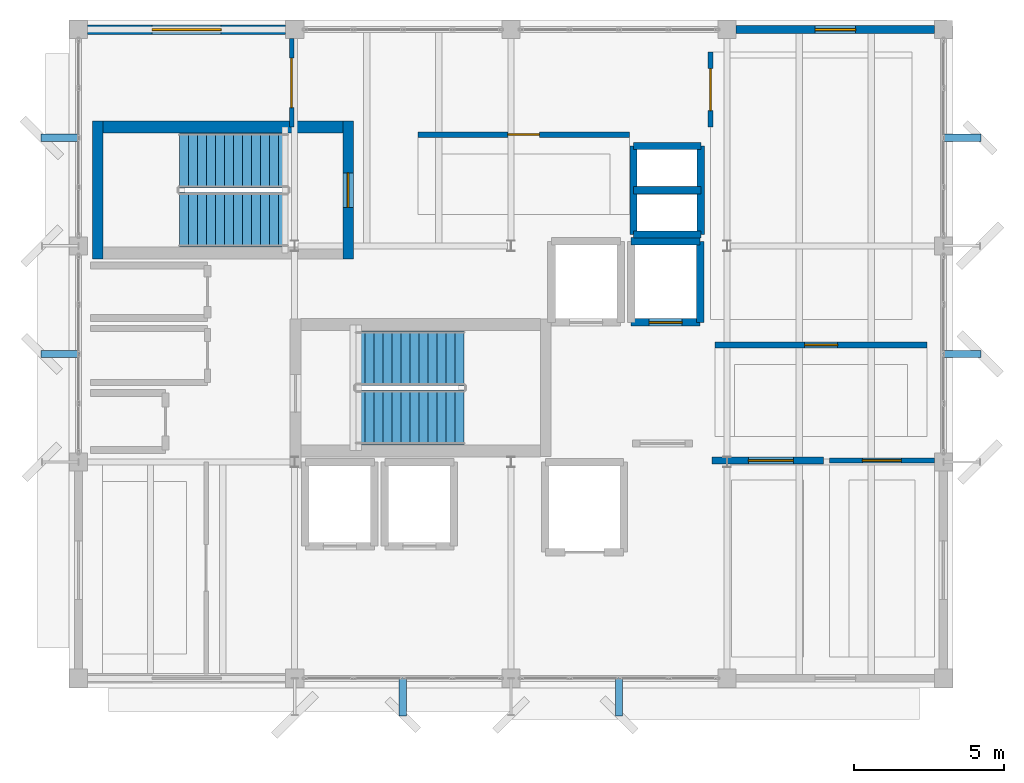
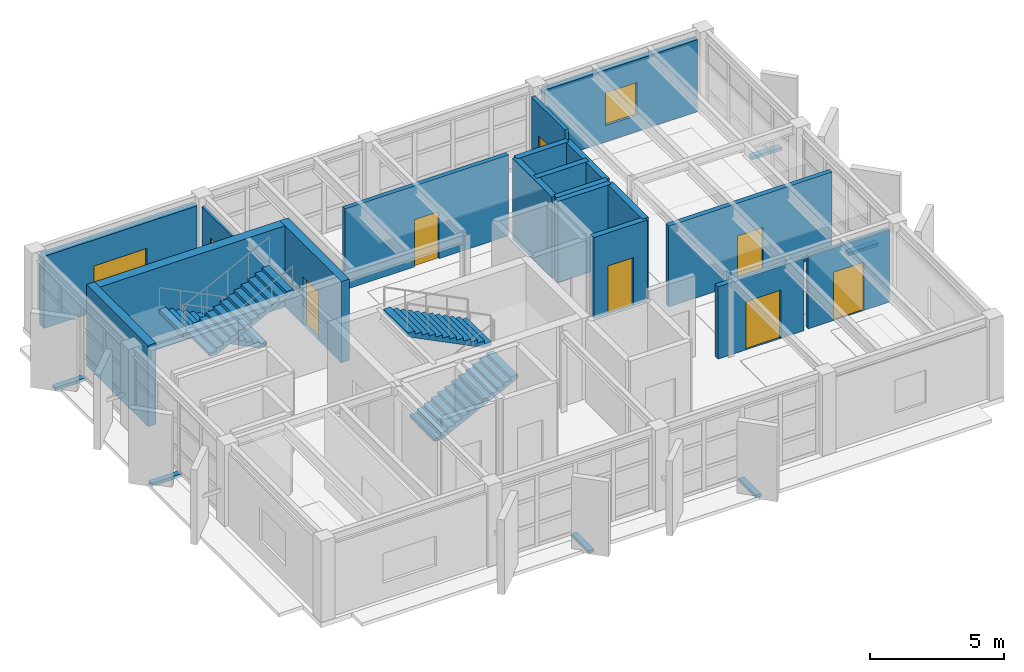
# One storey, part 12 of 15: 19 walls, 8 doors, 6 discrete accessories, 4 stair flights, 2 windows, 10 openings, 2 elements without a shape of their own.
"""IFC4 building model written with IfcOpenShell, lengths in metres."""

from ifc_helpers import new_model, si_unit, direction, frame, frame_2d, origin, origin_2d, place, context, subcontext, project, spatial, polyline, rectangle, outline, extrude, material, layer, layer_set, type_object, element, fill, aggregate, save


model = new_model("IFC4")

# Units and contexts
model_context = context("Model", 3, precision=1e-05, world=origin(), true_north=direction((0.0, 1.0)))
body_context = subcontext(model_context, "Body", "Model", "MODEL_VIEW")
ifc_project = project(units=[si_unit("LENGTHUNIT", "METRE"), si_unit("AREAUNIT", "SQUARE_METRE"), si_unit("VOLUMEUNIT", "CUBIC_METRE"), si_unit("PLANEANGLEUNIT", "RADIAN"), si_unit("MASSUNIT", "GRAM", prefix="KILO")], contexts=[model_context])

# Site, building, storey
site_placement = place(None, origin())
site = spatial("IfcSite", under=ifc_project, at=site_placement, CompositionType="ELEMENT")
building_placement = place(site_placement, origin())
building = spatial("IfcBuilding", under=site, at=building_placement, Name="Kandorven Conservatory and Botanical Research Centre", CompositionType="ELEMENT")
storey_placement = place(building_placement, frame((0.0, 0.0, 52.199951171875)))
storey = spatial("IfcBuildingStorey", under=building, at=storey_placement, Name="L13", CompositionType="ELEMENT", Elevation=52.199951171875)

# Wall
ifc_material_1 = material(Name="Concrete C40/50 (M50)", Category="concrete")
ifc_layer_1 = layer(ifc_material_1, 0.39990234375)
ifc_layer_set_1 = layer_set([ifc_layer_1], Name="Concrete C40/50 (M50)")
wall_type_1 = type_object("IfcWallType", Name="Wall_CW-RC-1", PredefinedType="SHEAR", material=ifc_layer_set_1)
wall_1_placement = place(storey_placement, frame((14.800048828125, 24.35498046875, 0.0), z_axis=(0.0, 0.0, 1.0), x_axis=(-1.0, 0.0, 0.0)))
element("IfcWall", 1, at=wall_1_placement, inside=storey, type_object=wall_type_1, Name="Core stair shear wall CW-RC-1 ST-T2 L13 side A", PredefinedType="SHEAR", context=body_context, shape_type="SweptSolid", body=[
    extrude(rectangle(XDim=7.97998046875, YDim=0.39990234375, at=frame_2d((3.989990234375, 0.0))), origin(), (0.0, 0.0, 1.0), 3.705078125),
])

# Wall, opening, door
ifc_material_2 = material(Name="Concrete C40/50 (M50)", Category="concrete")
ifc_layer_2 = layer(ifc_material_2, 0.35009765625)
ifc_layer_set_2 = layer_set([ifc_layer_2], Name="Concrete C40/50 (M50)")
wall_type_2 = type_object("IfcWallType", Name="Wall_CW-RC-2", PredefinedType="SHEAR", material=ifc_layer_set_2)
wall_2_placement = place(storey_placement, frame((14.97509765625, 24.550048828125, 0.0), z_axis=(0.0, 0.0, 1.0), x_axis=(0.0, -1.0, 0.0)))
wall_2 = element("IfcWall", 2, at=wall_2_placement, inside=storey, type_object=wall_type_2, Name="Core stair shear wall CW-RC-2 ST-T2 L13 entry", PredefinedType="SHEAR", context=body_context, shape_type="SweptSolid", body=[
    extrude(rectangle(XDim=4.590087890625, YDim=0.35009765625, at=frame_2d((2.294921875, 0.0))), origin(), (0.0, 0.0, 1.0), 3.705078125),
])
opening_1_placement = place(wall_2_placement, frame((1.719970703125, 0.0, 0.0)))
opening_1 = element("IfcOpeningElement", 3, at=opening_1_placement, cuts=wall_2, Name="Opening FD-2", PredefinedType="OPENING", context=body_context, shape_type="SweptSolid", body=[
    extrude(rectangle(XDim=1.14990234375, YDim=2.199951171875, at=frame_2d((0.574951171875, 1.10009765625))), frame((0.0, 0.18505859375, 0.0), z_axis=(0.0, -1.0, 0.0), x_axis=(1.0, 0.0, 0.0)), (0.0, 0.0, 1.0), 0.3701171875),
])
ifc_material_3 = material(Name="Galvanised hollow steel fire door assembly", Category="steel")
door_type_1 = type_object("IfcDoorType", Name="Door_FD-2", OperationType="NOTDEFINED", PredefinedType="DOOR", material=ifc_material_3)
door_1_placement = place(opening_1_placement, origin())
door_1 = element("IfcDoor", 4, at=door_1_placement, inside=storey, type_object=door_type_1, Name="Exit stair fire door FD-2 ST-T2 L13", OperationType="SINGLE_SWING_RIGHT", OverallHeight=2.199951171875, OverallWidth=1.14990234375, PredefinedType="DOOR", context=body_context, shape_type="SweptSolid", body=[
    extrude(rectangle(XDim=1.14990234375, YDim=2.199951171875, at=frame_2d((0.574951171875, 1.10009765625))), frame((0.0, 0.02490234375, 0.0), z_axis=(0.0, -1.0, 0.0), x_axis=(1.0, 0.0, 0.0)), (0.0, 0.0, 1.0), 0.050048828125),
])
fill(opening_1, door_1)

# Wall
wall_3_placement = place(storey_placement, frame((6.64501953125, 24.550048828125, 0.0), z_axis=(0.0, 0.0, 1.0), x_axis=(0.0, -1.0, 0.0)))
element("IfcWall", 5, at=wall_3_placement, inside=storey, type_object=wall_type_2, Name="Core stair shear wall CW-RC-2 ST-T2 L13 far", PredefinedType="SHEAR", context=body_context, shape_type="SweptSolid", body=[
    extrude(rectangle(XDim=4.590087890625, YDim=0.35009765625, at=frame_2d((2.294921875, 0.0))), origin(), (0.0, 0.0, 1.0), 3.705078125),
])

# Wall, opening, door
wall_4_placement = place(storey_placement, frame((24.39990234375, 17.85009765625, 0.0), z_axis=(0.0, 0.0, 1.0), x_axis=(1.0, 0.0, 0.0)))
wall_4 = element("IfcWall", 6, at=wall_4_placement, inside=storey, type_object=wall_type_2, Name="Lift shaft wall FFL-2 L13 S", PredefinedType="SHEAR", context=body_context, shape_type="SweptSolid", body=[
    extrude(rectangle(XDim=2.300048828125, YDim=0.25, at=frame_2d((1.14990234375, 0.0))), origin(), (0.0, 0.0, 1.0), 3.705078125),
])
opening_2_placement = place(wall_4_placement, frame((0.60009765625, 0.0, 0.0)))
opening_2 = element("IfcOpeningElement", 7, at=opening_2_placement, cuts=wall_4, Name="Opening LD-01", PredefinedType="OPENING", context=body_context, shape_type="SweptSolid", body=[
    extrude(rectangle(XDim=1.10009765625, YDim=2.199951171875, at=frame_2d((0.550048828125, 1.10009765625))), frame((0.0, 0.135009765625, 0.0), z_axis=(0.0, -1.0, 0.0), x_axis=(1.0, 0.0, 0.0)), (0.0, 0.0, 1.0), 0.27001953125),
])
ifc_material_4 = material(Name="Anodised aluminium sliding landing door", Category="aluminium")
door_type_2 = type_object("IfcDoorType", Name="Door_LD-01", OperationType="DOUBLE_DOOR_SLIDING", PredefinedType="DOOR", material=ifc_material_4)
door_2_placement = place(opening_2_placement, origin())
door_2 = element("IfcDoor", 8, at=door_2_placement, inside=storey, type_object=door_type_2, Name="Lift landing sliding door LD-01 (FFL-2 L13)", OperationType="DOUBLE_DOOR_SLIDING", OverallHeight=2.199951171875, OverallWidth=1.10009765625, PredefinedType="DOOR", context=body_context, shape_type="SweptSolid", body=[
    extrude(rectangle(XDim=1.10009765625, YDim=2.199951171875, at=frame_2d((0.550048828125, 1.10009765625))), frame((0.0, 0.02490234375, 0.0), z_axis=(0.0, -1.0, 0.0), x_axis=(1.0, 0.0, 0.0)), (0.0, 0.0, 1.0), 0.050048828125),
])
fill(opening_2, door_2)

# Walls
wall_5_placement = place(storey_placement, frame((24.39990234375, 20.550048828125, 0.0), z_axis=(0.0, 0.0, 1.0), x_axis=(1.0, 0.0, 0.0)))
element("IfcWall", 9, at=wall_5_placement, inside=storey, type_object=wall_type_2, Name="Lift shaft wall FFL-2 L13 N", PredefinedType="SHEAR", context=body_context, shape_type="SweptSolid", body=[
    extrude(rectangle(XDim=2.300048828125, YDim=0.25, at=frame_2d((1.14990234375, 0.0))), origin(), (0.0, 0.0, 1.0), 3.705078125),
])
wall_6_placement = place(storey_placement, frame((26.699951171875, 17.85009765625, 0.0), z_axis=(0.0, 0.0, 1.0), x_axis=(0.0, 1.0, 0.0)))
element("IfcWall", 10, at=wall_6_placement, inside=storey, type_object=wall_type_2, Name="Lift shaft wall FFL-2 L13 E", PredefinedType="SHEAR", context=body_context, shape_type="SweptSolid", body=[
    extrude(rectangle(XDim=2.699951171875, YDim=0.25, at=frame_2d((1.35009765625, 0.0))), origin(), (0.0, 0.0, 1.0), 3.705078125),
])
for number, where, z_axis, x_axis, name in (
    (11, (24.47998046875, 20.780029296875, 0.0), (0.0, 0.0, 1.0), (1.0, 0.0, 0.0), "Core MEP riser shaft wall CW-RC-2 L13 S"),
    (12, (24.47998046875, 22.25, 0.0), (0.0, 0.0, 1.0), (1.0, 0.0, 0.0), "Core MEP riser shaft wall CW-RC-2 L13 M"),
    (13, (24.47998046875, 23.719970703125, 0.0), (0.0, 0.0, 1.0), (1.0, 0.0, 0.0), "Core MEP riser shaft wall CW-RC-2 L13 N"),
):
    element("IfcWall", number, at=place(storey_placement, frame(where, z_axis=z_axis, x_axis=x_axis)), inside=storey, type_object=wall_type_2, Name=name, PredefinedType="SHEAR", context=body_context, shape_type="SweptSolid", body=[
        extrude(rectangle(XDim=2.239990234375, YDim=0.239990234375, at=frame_2d((1.1201171875, 0.0))), origin(), (0.0, 0.0, 1.0), 3.705078125),
    ])
for number, where, z_axis, x_axis, name in (
    (14, (24.47998046875, 20.780029296875, 0.0), (0.0, 0.0, 1.0), (0.0, 1.0, 0.0), "Core MEP riser shaft wall CW-RC-2 L13 W"),
    (15, (26.719970703125, 20.780029296875, 0.0), (0.0, 0.0, 1.0), (0.0, 1.0, 0.0), "Core MEP riser shaft wall CW-RC-2 L13 E"),
):
    element("IfcWall", number, at=place(storey_placement, frame(where, z_axis=z_axis, x_axis=x_axis)), inside=storey, type_object=wall_type_2, Name=name, PredefinedType="SHEAR", context=body_context, shape_type="SweptSolid", body=[
        extrude(rectangle(XDim=2.93994140625, YDim=0.239990234375, at=frame_2d((1.469970703125, 0.0))), origin(), (0.0, 0.0, 1.0), 3.705078125),
    ])

# Wall, opening, window
ifc_material_5 = material(Name="Concrete C32/40 (M40)", Category="concrete")
ifc_layer_3 = layer(ifc_material_5, 0.320068359375)
ifc_layer_set_3 = layer_set([ifc_layer_3], Name="Concrete C32/40 (M40)")
wall_type_3 = type_object("IfcWallType", Name="Wall_EW-03", PredefinedType="STANDARD", material=ifc_layer_set_3)
wall_7_placement = place(storey_placement, frame((6.300048828125, 27.60009765625, 0.0), z_axis=(0.0, 0.0, 1.0), x_axis=(1.0, 0.0, 0.0)))
wall_7 = element("IfcWall", 16, at=wall_7_placement, inside=storey, type_object=wall_type_3, Name="Tower concrete facade wall EW-03 N L13", PredefinedType="STANDARD", context=body_context, shape_type="SweptSolid", body=[
    extrude(rectangle(XDim=6.599853515625, YDim=0.320068359375, at=frame_2d((3.2998046875, 0.0))), origin(), (0.0, 0.0, 1.0), 3.28515625),
])
opening_3_placement = place(wall_7_placement, frame((2.14990234375, 0.0, 0.75)))
opening_3 = element("IfcOpeningElement", 17, at=opening_3_placement, cuts=wall_7, Name="Opening W-37", PredefinedType="OPENING", context=body_context, shape_type="SweptSolid", body=[
    extrude(rectangle(XDim=2.300048828125, YDim=1.35009765625, at=frame_2d((1.14990234375, 0.675048828125))), frame((0.0, 0.169921875, 0.0), z_axis=(0.0, -1.0, 0.0), x_axis=(1.0, 0.0, 0.0)), (0.0, 0.0, 1.0), 0.340087890625),
])
ifc_material_6 = material(Name="Double-glazed solar-control low-E glass", Category="glass")
window_type_1 = type_object("IfcWindowType", Name="Win_W-37", PartitioningType="DOUBLE_PANEL_VERTICAL", PredefinedType="WINDOW", material=ifc_material_6)
window_1_placement = place(opening_3_placement, origin())
window_1 = element("IfcWindow", 18, at=window_1_placement, inside=storey, type_object=window_type_1, Name="Tower recessed solar window W-37", OverallHeight=1.35009765625, OverallWidth=2.300048828125, PartitioningType="SINGLE_PANEL", PredefinedType="WINDOW", context=body_context, shape_type="SweptSolid", body=[
    extrude(rectangle(XDim=2.300048828125, YDim=1.35009765625, at=frame_2d((1.14990234375, 0.675048828125))), frame((0.0, 0.030029296875, 0.0), z_axis=(0.0, -1.0, 0.0), x_axis=(1.0, 0.0, 0.0)), (0.0, 0.0, 1.0), 0.06005859375),
])
fill(opening_3, window_1)

ifc_material_7 = material(Name="Concrete C32/40 (M40)", Category="concrete")
ifc_layer_4 = layer(ifc_material_7, 0.260009765625)
ifc_layer_set_4 = layer_set([ifc_layer_4], Name="Concrete C32/40 (M40)")
wall_type_4 = type_object("IfcWallType", Name="Wall_EW-06", PredefinedType="STANDARD", material=ifc_layer_set_4)
wall_8_placement = place(storey_placement, frame((27.89990234375, 27.60009765625, 0.0), z_axis=(0.0, 0.0, 1.0), x_axis=(1.0, 0.0, 0.0)))
wall_8 = element("IfcWall", 19, at=wall_8_placement, inside=storey, type_object=wall_type_4, Name="Tower concrete facade wall EW-06 N L13", PredefinedType="STANDARD", context=body_context, shape_type="SweptSolid", body=[
    extrude(rectangle(XDim=6.60009765625, YDim=0.260009765625, at=frame_2d((3.300048828125, 0.0))), origin(), (0.0, 0.0, 1.0), 3.28515625),
])
opening_4_placement = place(wall_8_placement, frame((2.625, 0.0, 0.75)))
opening_4 = element("IfcOpeningElement", 20, at=opening_4_placement, cuts=wall_8, Name="Opening W-40", PredefinedType="OPENING", context=body_context, shape_type="SweptSolid", body=[
    extrude(rectangle(XDim=1.35009765625, YDim=1.5, at=frame_2d((0.675048828125, 0.75))), frame((0.0, 0.139892578125, 0.0), z_axis=(0.0, -1.0, 0.0), x_axis=(1.0, 0.0, 0.0)), (0.0, 0.0, 1.0), 0.280029296875),
])
ifc_material_8 = material(Name="Double-glazed solar-control low-E glass", Category="glass")
window_type_2 = type_object("IfcWindowType", Name="Win_W-40", PartitioningType="DOUBLE_PANEL_VERTICAL", PredefinedType="WINDOW", material=ifc_material_8)
window_2_placement = place(opening_4_placement, origin())
window_2 = element("IfcWindow", 21, at=window_2_placement, inside=storey, type_object=window_type_2, Name="Tower recessed solar window W-40", OverallHeight=1.5, OverallWidth=1.35009765625, PartitioningType="SINGLE_PANEL", PredefinedType="WINDOW", context=body_context, shape_type="SweptSolid", body=[
    extrude(rectangle(XDim=1.35009765625, YDim=1.5, at=frame_2d((0.675048828125, 0.75))), frame((0.0, 0.030029296875, 0.0), z_axis=(0.0, -1.0, 0.0), x_axis=(1.0, 0.0, 0.0)), (0.0, 0.0, 1.0), 0.06005859375),
])
fill(opening_4, window_2)

# Wall, opening, door
ifc_material_9 = material(Name="Autoclaved aerated concrete blockwork masonry", Category="masonry")
ifc_layer_5 = layer(ifc_material_9, 0.2099609375)
ifc_layer_set_5 = layer_set([ifc_layer_5], Name="Autoclaved aerated concrete blockwork masonry")
wall_type_5 = type_object("IfcWallType", Name="Wall_IW-01", PredefinedType="PARTITIONING", material=ifc_layer_set_5)
wall_9_placement = place(storey_placement, frame((27.199951171875, 17.10009765625, 0.0), z_axis=(0.0, 0.0, 1.0), x_axis=(1.0, 0.0, 0.0)))
wall_9 = element("IfcWall", 22, at=wall_9_placement, inside=storey, type_object=wall_type_5, Name="Interior partition wall IW-01 (Seed Ecology Research Studio L13)", PredefinedType="PARTITIONING", context=body_context, shape_type="SweptSolid", body=[
    extrude(rectangle(XDim=7.050048828125, YDim=0.2099609375, at=frame_2d((3.52490234375, 0.0))), origin(), (0.0, 0.0, 1.0), 3.68505859375),
])
opening_5_placement = place(wall_9_placement, frame((2.97509765625, 0.0, 0.0)))
opening_5 = element("IfcOpeningElement", 23, at=opening_5_placement, cuts=wall_9, Name="Opening D-04", PredefinedType="OPENING", context=body_context, shape_type="SweptSolid", body=[
    extrude(rectangle(XDim=1.10009765625, YDim=2.199951171875, at=frame_2d((0.550048828125, 1.10009765625))), frame((0.0, 0.114990234375, 0.0), z_axis=(0.0, -1.0, 0.0), x_axis=(1.0, 0.0, 0.0)), (0.0, 0.0, 1.0), 0.22998046875),
])
ifc_material_10 = material(Name="Solid core acoustic teak-veneered timber leaf", Category="wood")
door_type_3 = type_object("IfcDoorType", Name="Door_D-04", OperationType="NOTDEFINED", PredefinedType="DOOR", material=ifc_material_10)
door_3_placement = place(opening_5_placement, origin())
door_3 = element("IfcDoor", 24, at=door_3_placement, inside=storey, type_object=door_type_3, Name="Interior door D-04 to Seed Ecology Research Studio L13", OperationType="SINGLE_SWING_RIGHT", OverallHeight=2.199951171875, OverallWidth=1.10009765625, PredefinedType="DOOR", context=body_context, shape_type="SweptSolid", body=[
    extrude(rectangle(XDim=1.10009765625, YDim=2.199951171875, at=frame_2d((0.550048828125, 1.10009765625))), frame((0.0, 0.02490234375, 0.0), z_axis=(0.0, -1.0, 0.0), x_axis=(1.0, 0.0, 0.0)), (0.0, 0.0, 1.0), 0.050048828125),
])
fill(opening_5, door_3)

ifc_material_11 = material(Name="Autoclaved aerated concrete blockwork masonry", Category="masonry")
ifc_layer_6 = layer(ifc_material_11, 0.179931640625)
ifc_layer_set_6 = layer_set([ifc_layer_6], Name="Autoclaved aerated concrete blockwork masonry")
wall_type_6 = type_object("IfcWallType", Name="Wall_IW-03", PredefinedType="PARTITIONING", material=ifc_layer_set_6)
wall_10_placement = place(storey_placement, frame((31.0, 13.25, 0.0), z_axis=(0.0, 0.0, 1.0), x_axis=(1.0, 0.0, 0.0)))
wall_10 = element("IfcWall", 25, at=wall_10_placement, inside=storey, type_object=wall_type_6, Name="Interior partition wall IW-03 (Arid Zone Ecology Research Laboratory L13)", PredefinedType="PARTITIONING", context=body_context, shape_type="SweptSolid", body=[
    extrude(rectangle(XDim=3.5, YDim=0.179931640625, at=frame_2d((1.75, 0.0))), origin(), (0.0, 0.0, 1.0), 3.295166015625),
])
opening_6_placement = place(wall_10_placement, frame((1.10009765625, 0.0, 0.0)))
opening_6 = element("IfcOpeningElement", 26, at=opening_6_placement, cuts=wall_10, Name="Opening D-06", PredefinedType="OPENING", context=body_context, shape_type="SweptSolid", body=[
    extrude(rectangle(XDim=1.300048828125, YDim=2.199951171875, at=frame_2d((0.64990234375, 1.10009765625))), frame((0.0, 0.099853515625, 0.0), z_axis=(0.0, -1.0, 0.0), x_axis=(1.0, 0.0, 0.0)), (0.0, 0.0, 1.0), 0.199951171875),
])
ifc_material_12 = material(Name="Solid core acoustic teak-veneered timber leaf", Category="wood")
door_type_4 = type_object("IfcDoorType", Name="Door_D-06", OperationType="NOTDEFINED", PredefinedType="DOOR", material=ifc_material_12)
door_4_placement = place(opening_6_placement, frame((1.300048828125, 0.0, 0.0), z_axis=(0.0, 0.0, 1.0), x_axis=(-1.0, 0.0, 0.0)))
door_4 = element("IfcDoor", 27, at=door_4_placement, inside=storey, type_object=door_type_4, Name="Interior door D-06 to Arid Zone Ecology Research Laboratory L13", OperationType="SINGLE_SWING_RIGHT", OverallHeight=2.199951171875, OverallWidth=1.300048828125, PredefinedType="DOOR", context=body_context, shape_type="SweptSolid", body=[
    extrude(rectangle(XDim=1.300048828125, YDim=2.199951171875, at=frame_2d((0.64990234375, 1.10009765625))), frame((0.0, 0.02490234375, 0.0), z_axis=(0.0, -1.0, 0.0), x_axis=(1.0, 0.0, 0.0)), (0.0, 0.0, 1.0), 0.050048828125),
])
fill(opening_6, door_4)

ifc_material_13 = material(Name="Autoclaved aerated concrete blockwork masonry", Category="masonry")
ifc_layer_7 = layer(ifc_material_13, 0.1650390625)
ifc_layer_set_7 = layer_set([ifc_layer_7], Name="Autoclaved aerated concrete blockwork masonry")
wall_type_7 = type_object("IfcWallType", Name="Wall_IW-04", PredefinedType="PARTITIONING", material=ifc_layer_set_7)
wall_11_placement = place(storey_placement, frame((27.050048828125, 24.35009765625, 0.0), z_axis=(0.0, 0.0, 1.0), x_axis=(0.0, 1.0, 0.0)))
wall_11 = element("IfcWall", 28, at=wall_11_placement, inside=storey, type_object=wall_type_7, Name="Interior partition wall IW-04 (Botanical GIS and Remote Sensing Laboratory L13)", PredefinedType="PARTITIONING", context=body_context, shape_type="SweptSolid", body=[
    extrude(rectangle(XDim=2.5, YDim=0.1650390625, at=frame_2d((1.25, 0.0))), origin(), (0.0, 0.0, 1.0), 3.68505859375),
])
opening_7_placement = place(wall_11_placement, frame((0.550048828125, 0.0, 0.0)))
opening_7 = element("IfcOpeningElement", 29, at=opening_7_placement, cuts=wall_11, Name="Opening D-07", PredefinedType="OPENING", context=body_context, shape_type="SweptSolid", body=[
    extrude(rectangle(XDim=1.39990234375, YDim=2.25, at=frame_2d((0.699951171875, 1.125))), frame((0.0, 0.092529296875, 0.0), z_axis=(0.0, -1.0, 0.0), x_axis=(1.0, 0.0, 0.0)), (0.0, 0.0, 1.0), 0.18505859375),
])
ifc_material_14 = material(Name="Solid core acoustic teak-veneered timber leaf", Category="wood")
door_type_5 = type_object("IfcDoorType", Name="Door_D-07", OperationType="NOTDEFINED", PredefinedType="DOOR", material=ifc_material_14)
door_5_placement = place(opening_7_placement, origin())
door_5 = element("IfcDoor", 30, at=door_5_placement, inside=storey, type_object=door_type_5, Name="Interior door D-07 to Botanical GIS and Remote Sensing Laboratory L13", OperationType="SINGLE_SWING_LEFT", OverallHeight=2.25, OverallWidth=1.39990234375, PredefinedType="DOOR", context=body_context, shape_type="SweptSolid", body=[
    extrude(rectangle(XDim=1.39990234375, YDim=2.25, at=frame_2d((0.699951171875, 1.125))), frame((0.0, 0.02490234375, 0.0), z_axis=(0.0, -1.0, 0.0), x_axis=(1.0, 0.0, 0.0)), (0.0, 0.0, 1.0), 0.050048828125),
])
fill(opening_7, door_5)

ifc_material_15 = material(Name="Fire-rated acoustic gypsum board partition", Category="gypsum")
ifc_layer_8 = layer(ifc_material_15, 0.139892578125)
ifc_layer_set_8 = layer_set([ifc_layer_8], Name="Fire-rated acoustic gypsum board partition")
wall_type_8 = type_object("IfcWallType", Name="Wall_IW-06", PredefinedType="PARTITIONING", material=ifc_layer_set_8)
wall_12_placement = place(storey_placement, frame((13.10009765625, 24.35009765625, 0.0), z_axis=(0.0, 0.0, 1.0), x_axis=(0.0, 1.0, 0.0)))
wall_12 = element("IfcWall", 31, at=wall_12_placement, inside=storey, type_object=wall_type_8, Name="Interior partition wall IW-06 (Botanical Floristics Studio L13)", PredefinedType="PARTITIONING", context=body_context, shape_type="SweptSolid", body=[
    extrude(rectangle(XDim=2.949951171875, YDim=0.139892578125, at=frame_2d((1.47509765625, 0.0))), origin(), (0.0, 0.0, 1.0), 3.295166015625),
])
opening_8_placement = place(wall_12_placement, frame((0.64990234375, 0.0, 0.0)))
opening_8 = element("IfcOpeningElement", 32, at=opening_8_placement, cuts=wall_12, Name="Opening D-09", PredefinedType="OPENING", context=body_context, shape_type="SweptSolid", body=[
    extrude(rectangle(XDim=1.64990234375, YDim=2.25, at=frame_2d((0.824951171875, 1.125))), frame((0.0, 0.079833984375, 0.0), z_axis=(0.0, -1.0, 0.0), x_axis=(1.0, 0.0, 0.0)), (0.0, 0.0, 1.0), 0.159912109375),
])
ifc_material_16 = material(Name="Solid core acoustic teak-veneered timber leaf", Category="wood")
door_type_6 = type_object("IfcDoorType", Name="Door_D-09", OperationType="NOTDEFINED", PredefinedType="DOOR", material=ifc_material_16)
door_6_placement = place(opening_8_placement, frame((1.64990234375, 0.0, 0.0), z_axis=(0.0, 0.0, 1.0), x_axis=(-1.0, 0.0, 0.0)))
door_6 = element("IfcDoor", 33, at=door_6_placement, inside=storey, type_object=door_type_6, Name="Interior door D-09 to Botanical Floristics Studio L13", OperationType="DOUBLE_DOOR_SINGLE_SWING", OverallHeight=2.25, OverallWidth=1.64990234375, PredefinedType="DOOR", context=body_context, shape_type="SweptSolid", body=[
    extrude(rectangle(XDim=1.64990234375, YDim=2.25, at=frame_2d((0.824951171875, 1.125))), frame((0.0, 0.02490234375, 0.0), z_axis=(0.0, -1.0, 0.0), x_axis=(1.0, 0.0, 0.0)), (0.0, 0.0, 1.0), 0.050048828125),
])
fill(opening_8, door_6)

ifc_material_17 = material(Name="Autoclaved aerated concrete blockwork masonry", Category="masonry")
ifc_layer_9 = layer(ifc_material_17, 0.18798828125)
ifc_layer_set_9 = layer_set([ifc_layer_9], Name="Autoclaved aerated concrete blockwork masonry")
wall_type_9 = type_object("IfcWallType", Name="Wall_IW-18", PredefinedType="PARTITIONING", material=ifc_layer_set_9)
wall_13_placement = place(storey_placement, frame((17.300048828125, 24.10009765625, 0.0), z_axis=(0.0, 0.0, 1.0), x_axis=(1.0, 0.0, 0.0)))
wall_13 = element("IfcWall", 34, at=wall_13_placement, inside=storey, type_object=wall_type_9, Name="Interior partition wall IW-18 (Dryland Flora Research Laboratory L13)", PredefinedType="PARTITIONING", context=body_context, shape_type="SweptSolid", body=[
    extrude(rectangle(XDim=7.050048828125, YDim=0.18798828125, at=frame_2d((3.52490234375, 0.0))), origin(), (0.0, 0.0, 1.0), 3.68505859375),
])
opening_9_placement = place(wall_13_placement, frame((3.0, 0.0, 0.0)))
opening_9 = element("IfcOpeningElement", 35, at=opening_9_placement, cuts=wall_13, Name="Opening D-03", PredefinedType="OPENING", context=body_context, shape_type="SweptSolid", body=[
    extrude(rectangle(XDim=1.050048828125, YDim=2.14990234375, at=frame_2d((0.52490234375, 1.074951171875))), frame((0.0, 0.10400390625, 0.0), z_axis=(0.0, -1.0, 0.0), x_axis=(1.0, 0.0, 0.0)), (0.0, 0.0, 1.0), 0.2080078125),
])
ifc_material_18 = material(Name="Solid core acoustic teak-veneered timber leaf", Category="wood")
door_type_7 = type_object("IfcDoorType", Name="Door_D-03", OperationType="NOTDEFINED", PredefinedType="DOOR", material=ifc_material_18)
door_7_placement = place(opening_9_placement, frame((1.050048828125, 0.0, 0.0), z_axis=(0.0, 0.0, 1.0), x_axis=(-1.0, 0.0, 0.0)))
door_7 = element("IfcDoor", 36, at=door_7_placement, inside=storey, type_object=door_type_7, Name="Interior door D-03 to Dryland Flora Research Laboratory L13", OperationType="SINGLE_SWING_LEFT", OverallHeight=2.14990234375, OverallWidth=1.050048828125, PredefinedType="DOOR", context=body_context, shape_type="SweptSolid", body=[
    extrude(rectangle(XDim=1.050048828125, YDim=2.14990234375, at=frame_2d((0.52490234375, 1.074951171875))), frame((0.0, 0.02490234375, 0.0), z_axis=(0.0, -1.0, 0.0), x_axis=(1.0, 0.0, 0.0)), (0.0, 0.0, 1.0), 0.050048828125),
])
fill(opening_9, door_7)

ifc_material_19 = material(Name="Concrete C32/40 (M40)", Category="concrete")
ifc_layer_10 = layer(ifc_material_19, 0.22509765625)
ifc_layer_set_10 = layer_set([ifc_layer_10], Name="Concrete C32/40 (M40)")
wall_type_10 = type_object("IfcWallType", Name="Wall_IW-FR-2", PredefinedType="SOLIDWALL", material=ifc_layer_set_10)
wall_14_placement = place(storey_placement, frame((27.10009765625, 13.25, 0.0), z_axis=(0.0, 0.0, 1.0), x_axis=(1.0, 0.0, 0.0)))
wall_14 = element("IfcWall", 37, at=wall_14_placement, inside=storey, type_object=wall_type_10, Name="Interior fire partition wall IW-FR-2 (Regional Flora Herbarium Archive L13)", PredefinedType="SOLIDWALL", context=body_context, shape_type="SweptSolid", body=[
    extrude(rectangle(XDim=3.699951171875, YDim=0.22509765625, at=frame_2d((1.85009765625, 0.0))), origin(), (0.0, 0.0, 1.0), 3.295166015625),
])
opening_10_placement = place(wall_14_placement, frame((1.205078125, 0.0, 0.0)))
opening_10 = element("IfcOpeningElement", 38, at=opening_10_placement, cuts=wall_14, Name="Opening FD-3", PredefinedType="OPENING", context=body_context, shape_type="SweptSolid", body=[
    extrude(rectangle(XDim=1.5, YDim=2.199951171875, at=frame_2d((0.75, 1.10009765625))), frame((0.0, 0.12255859375, 0.0), z_axis=(0.0, -1.0, 0.0), x_axis=(1.0, 0.0, 0.0)), (0.0, 0.0, 1.0), 0.2451171875),
])
ifc_material_20 = material(Name="Galvanised hollow steel fire door assembly", Category="steel")
door_type_8 = type_object("IfcDoorType", Name="Door_FD-3", OperationType="NOTDEFINED", PredefinedType="DOOR", material=ifc_material_20)
door_8_placement = place(opening_10_placement, origin())
door_8 = element("IfcDoor", 39, at=door_8_placement, inside=storey, type_object=door_type_8, Name="Interior door FD-3 to Regional Flora Herbarium Archive L13", OperationType="SINGLE_SWING_LEFT", OverallHeight=2.199951171875, OverallWidth=1.5, PredefinedType="DOOR", context=body_context, shape_type="SweptSolid", body=[
    extrude(rectangle(XDim=1.5, YDim=2.199951171875, at=frame_2d((0.75, 1.10009765625))), frame((0.0, 0.02490234375, 0.0), z_axis=(0.0, -1.0, 0.0), x_axis=(1.0, 0.0, 0.0)), (0.0, 0.0, 1.0), 0.050048828125),
])
fill(opening_10, door_8)

# Stair, stair flights
ifc_material_21 = material(Name="Concrete C32/40 (M40)", Category="concrete")
stair_type = type_object("IfcStairType", Name="Stair_1820", PredefinedType="HALF_TURN_STAIR", material=ifc_material_21)
stair_1_placement = place(storey_placement, origin())
stair_1 = element("IfcStair", 40, at=stair_1_placement, inside=storey, type_object=stair_type, Name="L13 Tower Fire Stair ST-T1", PredefinedType="HALF_TURN_STAIR")
ifc_material_22 = material(Name="Concrete C32/40 (M40)", Category="concrete")
ifc_layer_11 = layer(ifc_material_22, 0.14990234375)
ifc_layer_set_11 = layer_set([ifc_layer_11], Name="Concrete C32/40 (M40)")
stair_flight_type = type_object("IfcStairFlightType", Name="Flight_1820", PredefinedType="STRAIGHT", material=ifc_layer_set_11)
stair_flight_1_placement = place(storey_placement, frame((15.239990234375, 14.68994140625, 0.0), z_axis=(0.0, 0.0, 1.0), x_axis=(1.0, 0.0, 0.0)))
stair_flight_1 = element("IfcStairFlight", 41, at=stair_flight_1_placement, type_object=stair_flight_type, Name="ST-T1 flight 1", NumberOfRisers=13, NumberOfTreads=12, PredefinedType="STRAIGHT", RiserHeight=0.15, TreadLength=0.3, context=body_context, shape_type="SweptSolid", body=[
    extrude(outline(polyline([(0.0, 0.0), (0.0, 0.14990234375), (0.300048828125, 0.14990234375), (0.300048828125, 0.300048828125), (0.60009765625, 0.300048828125), (0.60009765625, 0.449951171875), (0.89990234375, 0.449951171875), (0.89990234375, 0.60009765625), (1.199951171875, 0.60009765625), (1.199951171875, 0.75), (1.5, 0.75), (1.5, 0.89990234375), (1.800048828125, 0.89990234375), (1.800048828125, 1.050048828125), (2.10009765625, 1.050048828125), (2.10009765625, 1.199951171875), (2.39990234375, 1.199951171875), (2.39990234375, 1.35009765625), (2.699951171875, 1.35009765625), (2.699951171875, 1.5), (3.0, 1.5), (3.0, 1.64990234375), (3.300048828125, 1.64990234375), (3.300048828125, 1.800048828125), (3.60009765625, 1.800048828125), (3.60009765625, 1.949951171875), (3.60009765625, 1.63232421875), (0.335205078125, 0.0), (0.0, 0.0)])), frame((0.0, 0.91015625, 0.0), z_axis=(0.0, -1.0, 0.0), x_axis=(1.0, 0.0, 0.0)), (0.0, 0.0, 1.0), 1.820068359375),
])
stair_flight_2_placement = place(storey_placement, frame((18.839599609375, 16.659912109375, 1.949951171875), z_axis=(0.0, 0.0, 1.0), x_axis=(-1.0, 0.0, 0.0)))
stair_flight_2 = element("IfcStairFlight", 42, at=stair_flight_2_placement, type_object=stair_flight_type, Name="ST-T1 flight 2", NumberOfRisers=13, NumberOfTreads=12, PredefinedType="STRAIGHT", RiserHeight=0.15, TreadLength=0.3, context=body_context, shape_type="SweptSolid", body=[
    extrude(outline(polyline([(0.0, 0.0), (0.0, 0.14990234375), (0.300048828125, 0.14990234375), (0.300048828125, 0.300048828125), (0.60009765625, 0.300048828125), (0.60009765625, 0.449951171875), (0.89990234375, 0.449951171875), (0.89990234375, 0.60009765625), (1.199951171875, 0.60009765625), (1.199951171875, 0.75), (1.5, 0.75), (1.5, 0.89990234375), (1.800048828125, 0.89990234375), (1.800048828125, 1.050048828125), (2.10009765625, 1.050048828125), (2.10009765625, 1.199951171875), (2.39990234375, 1.199951171875), (2.39990234375, 1.35009765625), (2.699951171875, 1.35009765625), (2.699951171875, 1.5), (3.0, 1.5), (3.0, 1.64990234375), (3.300048828125, 1.64990234375), (3.300048828125, 1.800048828125), (3.60009765625, 1.800048828125), (3.60009765625, 1.949951171875), (3.60009765625, 1.63232421875), (0.335205078125, 0.0), (0.0, 0.0)])), frame((0.0, 0.91015625, 0.0), z_axis=(0.0, -1.0, 0.0), x_axis=(1.0, 0.0, 0.0)), (0.0, 0.0, 1.0), 1.820068359375),
])
aggregate(stair_1, [stair_flight_1, stair_flight_2])

stair_2_placement = place(storey_placement, origin())
stair_2 = element("IfcStair", 43, at=stair_2_placement, inside=storey, type_object=stair_type, Name="L13 Tower Fire Stair ST-T2", PredefinedType="HALF_TURN_STAIR")
stair_flight_3_placement = place(storey_placement, frame((12.9599609375, 23.239990234375, 0.0), z_axis=(0.0, 0.0, 1.0), x_axis=(-1.0, 0.0, 0.0)))
stair_flight_3 = element("IfcStairFlight", 44, at=stair_flight_3_placement, type_object=stair_flight_type, Name="ST-T2 flight 1", NumberOfRisers=13, NumberOfTreads=12, PredefinedType="STRAIGHT", RiserHeight=0.15, TreadLength=0.3, context=body_context, shape_type="SweptSolid", body=[
    extrude(outline(polyline([(0.0, 0.0), (0.0, 0.14990234375), (0.300048828125, 0.14990234375), (0.300048828125, 0.300048828125), (0.60009765625, 0.300048828125), (0.60009765625, 0.449951171875), (0.89990234375, 0.449951171875), (0.89990234375, 0.60009765625), (1.199951171875, 0.60009765625), (1.199951171875, 0.75), (1.5, 0.75), (1.5, 0.89990234375), (1.800048828125, 0.89990234375), (1.800048828125, 1.050048828125), (2.10009765625, 1.050048828125), (2.10009765625, 1.199951171875), (2.39990234375, 1.199951171875), (2.39990234375, 1.35009765625), (2.699951171875, 1.35009765625), (2.699951171875, 1.5), (3.0, 1.5), (3.0, 1.64990234375), (3.300048828125, 1.64990234375), (3.300048828125, 1.800048828125), (3.60009765625, 1.800048828125), (3.60009765625, 1.949951171875), (3.60009765625, 1.63232421875), (0.335205078125, 0.0), (0.0, 0.0)])), frame((0.0, 0.91015625, 0.0), z_axis=(0.0, -1.0, 0.0), x_axis=(1.0, 0.0, 0.0)), (0.0, 0.0, 1.0), 1.820068359375),
])
stair_flight_4_placement = place(storey_placement, frame((9.360595703125, 21.27001953125, 1.949951171875), z_axis=(0.0, 0.0, 1.0), x_axis=(1.0, 0.0, 0.0)))
stair_flight_4 = element("IfcStairFlight", 45, at=stair_flight_4_placement, type_object=stair_flight_type, Name="ST-T2 flight 2", NumberOfRisers=13, NumberOfTreads=12, PredefinedType="STRAIGHT", RiserHeight=0.15, TreadLength=0.3, context=body_context, shape_type="SweptSolid", body=[
    extrude(outline(polyline([(0.0, 0.0), (0.0, 0.14990234375), (0.300048828125, 0.14990234375), (0.300048828125, 0.300048828125), (0.60009765625, 0.300048828125), (0.60009765625, 0.449951171875), (0.89990234375, 0.449951171875), (0.89990234375, 0.60009765625), (1.199951171875, 0.60009765625), (1.199951171875, 0.75), (1.5, 0.75), (1.5, 0.89990234375), (1.800048828125, 0.89990234375), (1.800048828125, 1.050048828125), (2.10009765625, 1.050048828125), (2.10009765625, 1.199951171875), (2.39990234375, 1.199951171875), (2.39990234375, 1.35009765625), (2.699951171875, 1.35009765625), (2.699951171875, 1.5), (3.0, 1.5), (3.0, 1.64990234375), (3.300048828125, 1.64990234375), (3.300048828125, 1.800048828125), (3.60009765625, 1.800048828125), (3.60009765625, 1.949951171875), (3.60009765625, 1.63232421875), (0.335205078125, 0.0), (0.0, 0.0)])), frame((0.0, 0.91015625, 0.0), z_axis=(0.0, -1.0, 0.0), x_axis=(1.0, 0.0, 0.0)), (0.0, 0.0, 1.0), 1.820068359375),
])
aggregate(stair_2, [stair_flight_3, stair_flight_4])

# Discrete accessories
ifc_material_23 = material(Name="Steel S355 (IS 2062 E350)", Category="steel")
discrete_accessory_type = type_object("IfcDiscreteAccessoryType", Name="JaliBracket", PredefinedType="BRACKET", material=ifc_material_23)
for number, where, z_axis, x_axis, name in (
    (46, (16.800048828125, 5.389892578125, -0.1298828125), (0.0, 0.0, 1.0), (1.0, 0.0, 0.0), "Stainless steel fin support bracket BRK-01 #110"),
    (47, (24.0, 5.389892578125, -0.1298828125), (0.0, 0.0, 1.0), (1.0, 0.0, 0.0), "Stainless steel fin support bracket BRK-01 #112"),
):
    element("IfcDiscreteAccessory", number, at=place(storey_placement, frame(where, z_axis=z_axis, x_axis=x_axis)), inside=storey, type_object=discrete_accessory_type, Name=name, PredefinedType="BRACKET", context=body_context, shape_type="SweptSolid", body=[
        extrude(rectangle(XDim=0.239990234375, YDim=1.280029296875, at=origin_2d()), origin(), (0.0, 0.0, 1.0), 0.139892578125),
    ])
for number, where, z_axis, x_axis, name in (
    (48, (5.389892578125, 16.800048828125, -0.1298828125), (0.0, 0.0, 1.0), (1.0, 0.0, 0.0), "Stainless steel fin support bracket BRK-01 #114"),
    (49, (5.389892578125, 24.0, -0.1298828125), (0.0, 0.0, 1.0), (1.0, 0.0, 0.0), "Stainless steel fin support bracket BRK-01 #116"),
    (50, (35.409912109375, 16.800048828125, -0.1298828125), (0.0, 0.0, 1.0), (1.0, 0.0, 0.0), "Stainless steel fin support bracket BRK-01 #118"),
    (51, (35.409912109375, 24.0, -0.1298828125), (0.0, 0.0, 1.0), (1.0, 0.0, 0.0), "Stainless steel fin support bracket BRK-01 #120"),
):
    element("IfcDiscreteAccessory", number, at=place(storey_placement, frame(where, z_axis=z_axis, x_axis=x_axis)), inside=storey, type_object=discrete_accessory_type, Name=name, PredefinedType="BRACKET", context=body_context, shape_type="SweptSolid", body=[
        extrude(rectangle(XDim=1.280029296875, YDim=0.239990234375, at=origin_2d()), origin(), (0.0, 0.0, 1.0), 0.139892578125),
    ])

save(model, "model.ifc")
